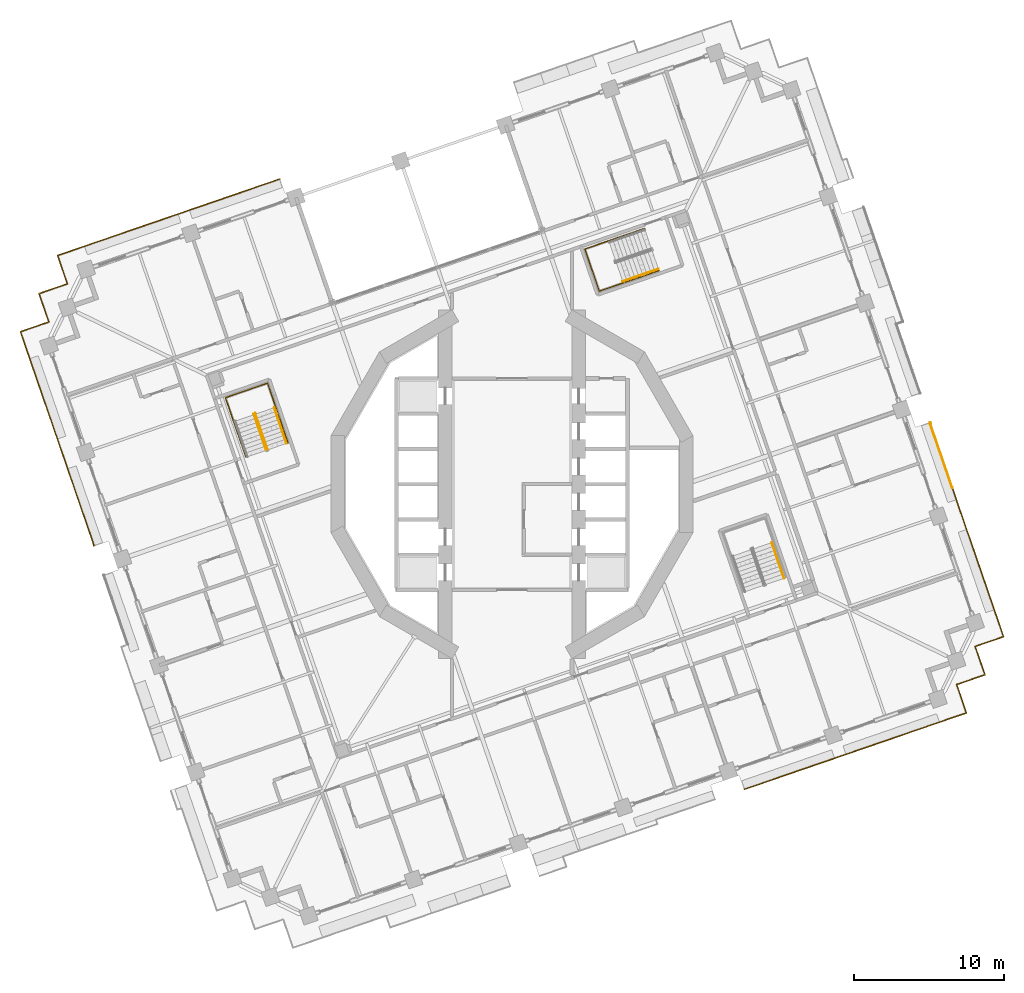
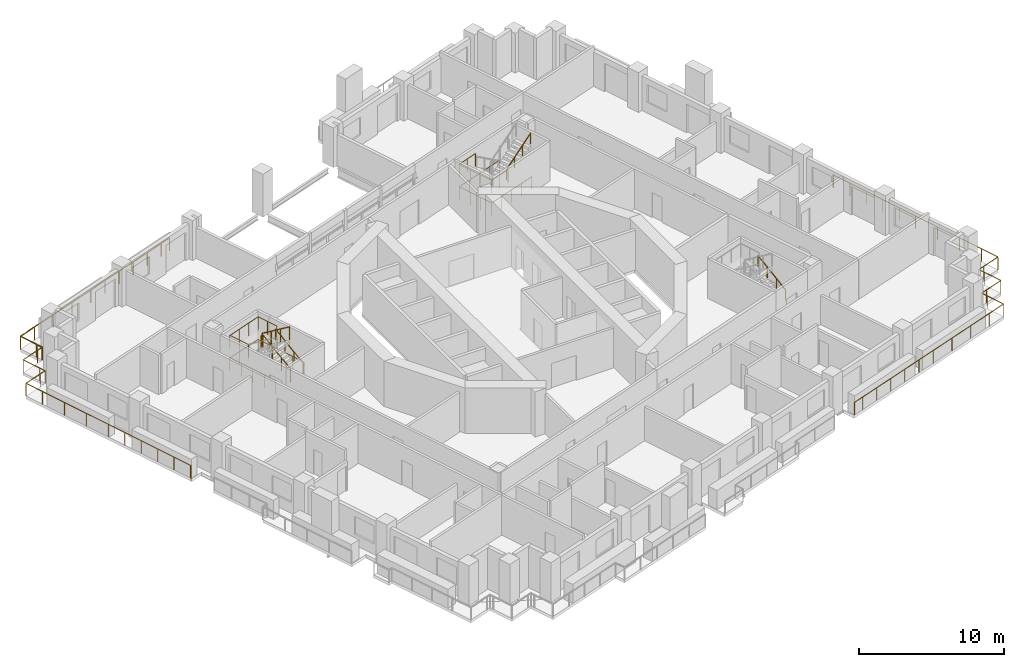
# One storey, part 18 of 22: 13 railings.
"""IFC4 building model written with IfcOpenShell, lengths in metres."""

import ifcopenshell
import ifcopenshell.guid

model = None  # the IFC model being written
_history = None  # IfcOwnerHistory: only IFC2X3 demands one
_inside = {}  # id of a spatial element -> (the spatial element, [elements in it])
_under = {}  # id of a project, library or spatial element -> (it, [spatial elements below it])
_declared = {}  # id of a project -> (the project, [libraries it declares])
_typed = {}  # id of a type object -> (the type object, [elements of that type])
_made_of = {}  # id of a material, layer set ... -> (it, [elements and type objects made of it])


def new_model(schema):
    """Start an empty IFC model of exactly this schema.

    Asked for "IFC4X3", IfcOpenShell would pick the latest addendum, in which some entities
    have other attributes; the version numbers below select the first issue.
    IFC2X3 requires an IfcOwnerHistory on every rooted entity: one is made here for all.
    """
    global model, _history
    if schema == "IFC4X3":
        model = ifcopenshell.file(schema_version=(4, 3, 0, 0))
    else:
        model = ifcopenshell.file(schema=schema)
    _inside.clear()
    _under.clear()
    _declared.clear()
    _typed.clear()
    _made_of.clear()
    _history = None
    if model.schema == "IFC2X3":
        org = make("IfcOrganization", Name="unknown")
        user = make(
            "IfcPersonAndOrganization",
            ThePerson=make("IfcPerson", FamilyName="unknown"),
            TheOrganization=org,
        )
        app = make(
            "IfcApplication",
            ApplicationDeveloper=org,
            Version="unknown",
            ApplicationFullName="unknown",
            ApplicationIdentifier="unknown",
        )
        _history = make(
            "IfcOwnerHistory",
            OwningUser=user,
            OwningApplication=app,
            ChangeAction="ADDED",
            CreationDate=0,
        )
    return model


def make(cls, **values):
    """One entity of the class cls with the attributes given. An attribute that is None is left unset."""
    return model.create_entity(
        cls, **{name: value for name, value in values.items() if value is not None}
    )


def rooted(cls, **values):
    """An entity with a GlobalId (a new one), such as an element, a storey or a relation."""
    return make(cls, GlobalId=ifcopenshell.guid.new(), OwnerHistory=_history, **values)


def si_unit(unit_type, name, prefix=None):
    """IfcSIUnit, for example si_unit("LENGTHUNIT", "METRE", prefix="MILLI")."""
    return make("IfcSIUnit", UnitType=unit_type, Prefix=prefix, Name=name)


def assignment(units):
    """IfcUnitAssignment: the units of a project."""
    return None if units is None else make("IfcUnitAssignment", Units=units)


def point(xyz):
    """IfcCartesianPoint."""
    return None if xyz is None else make("IfcCartesianPoint", Coordinates=xyz)


def direction(xyz):
    """IfcDirection."""
    return None if xyz is None else make("IfcDirection", DirectionRatios=xyz)


def frame(location, z_axis=None, x_axis=None):
    """IfcAxis2Placement3D, a coordinate frame: its origin and axes. An axis left out is left unset."""
    return make(
        "IfcAxis2Placement3D",
        Location=point(location),
        Axis=direction(z_axis),
        RefDirection=direction(x_axis),
    )


def frame_2d(location, x_axis=None):
    """IfcAxis2Placement2D, a coordinate frame in the plane: its origin and x axis."""
    return make(
        "IfcAxis2Placement2D", Location=point(location), RefDirection=direction(x_axis)
    )


def origin():
    """The frame at (0, 0, 0) with its axes left unset."""
    return frame((0.0, 0.0, 0.0))


def origin_2d():
    """The frame at (0, 0) in the plane with its x axis left unset."""
    return frame_2d((0.0, 0.0))


def place(relative_to, where):
    """IfcLocalPlacement: puts the frame where relative to a parent placement (None: the world)."""
    return make(
        "IfcLocalPlacement", PlacementRelTo=relative_to, RelativePlacement=where
    )


def context(
    kind, dimensions, precision=None, world=None, true_north=None, identifier=None
):
    """IfcGeometricRepresentationContext, for example the 3D "Model" context."""
    return make(
        "IfcGeometricRepresentationContext",
        ContextIdentifier=identifier,
        ContextType=kind,
        CoordinateSpaceDimension=dimensions,
        Precision=precision,
        WorldCoordinateSystem=world,
        TrueNorth=true_north,
    )


def subcontext(parent, identifier, kind, view, scale=None):
    """IfcGeometricRepresentationSubContext, for example "Body" below "Model"."""
    return make(
        "IfcGeometricRepresentationSubContext",
        ContextIdentifier=identifier,
        ContextType=kind,
        ParentContext=parent,
        TargetScale=scale,
        TargetView=view,
    )


def project(units=None, contexts=None):
    """IfcProject with its units and contexts."""
    return rooted(
        "IfcProject",
        Name="project",
        RepresentationContexts=contexts,
        UnitsInContext=assignment(units),
    )


def spatial(cls, under=None, at=None, **own):
    """A site, building, storey or space (cls), placed at a placement, below another one or the project."""
    s = rooted(cls, ObjectPlacement=at, **own)
    if under is not None:
        _under.setdefault(under.id(), (under, []))[1].append(s)
    return s


def profile(cls, at=None, kind="AREA", **sizes):
    """A parametric profile (cls). Its sizes go by their IFC names, for example OverallWidth=200.0."""
    return make(cls, ProfileType=kind, Position=at, **sizes)


def circle(**sizes):
    """IfcCircleProfileDef."""
    return profile("IfcCircleProfileDef", **sizes)


def extrude(swept, where, along, depth):
    """IfcExtrudedAreaSolid: the profile swept, set in the frame where, extruded along a direction by depth."""
    return make(
        "IfcExtrudedAreaSolid",
        SweptArea=swept,
        Position=where,
        ExtrudedDirection=direction(along),
        Depth=depth,
    )


def shape(context_of_items, identifier, shape_type, items):
    """IfcShapeRepresentation: the items that make up one representation, for example the "Body"."""
    return make(
        "IfcShapeRepresentation",
        ContextOfItems=context_of_items,
        RepresentationIdentifier=identifier,
        RepresentationType=shape_type,
        Items=items,
    )


def material(Name=None, Category=None):
    """IfcMaterial."""
    return make("IfcMaterial", Name=Name, Category=Category)


def made_of(thing, what):
    """Note that an element or type object is made of a material, layer set ...; save() writes the relation."""
    if what is not None:
        _made_of.setdefault(what.id(), (what, []))[1].append(thing)
    return thing


def type_object(cls, material=None, **own):
    """A type object (cls), such as IfcWallType, which elements share."""
    return made_of(rooted(cls, **own), material)


def element(
    cls,
    number,
    at=None,
    inside=None,
    cuts=None,
    type_object=None,
    material=None,
    context=None,
    identifier="Body",
    shape_type=None,
    held_by="IfcProductDefinitionShape",
    body=None,
    shapes=None,
    **own,
):
    """One element of the class cls, such as IfcWall. Its Tag is "e" and its number.

    at: its placement. inside: the storey or other place that contains it. cuts: it is an
    opening in that element (IfcRelVoidsElement). A single representation is given by context,
    identifier, shape_type and body (its items); several are given by shapes. held_by: the class
    of the entity that holds the representations. save() writes the other relations.
    """
    e = rooted(cls, Tag="e%d" % number, ObjectPlacement=at, **own)
    if body is not None:
        shapes = [shape(context, identifier, shape_type, body)]
    if shapes is not None:
        e.Representation = make(held_by, Representations=shapes)
    if inside is not None:
        _inside.setdefault(inside.id(), (inside, []))[1].append(e)
    if cuts is not None:
        rooted(
            "IfcRelVoidsElement", RelatingBuildingElement=cuts, RelatedOpeningElement=e
        )
    if type_object is not None:
        _typed.setdefault(type_object.id(), (type_object, []))[1].append(e)
    return made_of(e, material)


def aggregate(whole, parts):
    """IfcRelAggregates: a whole, such as a stair, and the parts it consists of."""
    return rooted("IfcRelAggregates", RelatingObject=whole, RelatedObjects=parts)


def save(model, path):
    """Write the relations noted so far, then the file.

    IfcRelAggregates (storeys below a building ...), IfcRelContainedInSpatialStructure (elements
    in a storey), IfcRelDefinesByType, IfcRelAssociatesMaterial and IfcRelDeclares: one each for
    every whole, place, type object, material and project.
    """
    for whole, parts in _under.values():
        aggregate(whole, parts)
    for where, things in _inside.values():
        rooted(
            "IfcRelContainedInSpatialStructure",
            RelatedElements=things,
            RelatingStructure=where,
        )
    for kind, things in _typed.values():
        rooted("IfcRelDefinesByType", RelatedObjects=things, RelatingType=kind)
    for what, things in _made_of.values():
        rooted("IfcRelAssociatesMaterial", RelatedObjects=things, RelatingMaterial=what)
    for by, libraries in _declared.values():
        rooted("IfcRelDeclares", RelatingContext=by, RelatedDefinitions=libraries)
    model.write(path)


model = new_model("IFC4")

# Units and contexts
model_context = context("Model", 3, precision=1e-05, world=origin(), true_north=direction((0.0, 1.0)))
body_context = subcontext(model_context, "Body", "Model", "MODEL_VIEW")
ifc_project = project(units=[si_unit("LENGTHUNIT", "METRE"), si_unit("AREAUNIT", "SQUARE_METRE"), si_unit("VOLUMEUNIT", "CUBIC_METRE"), si_unit("PLANEANGLEUNIT", "RADIAN"), si_unit("MASSUNIT", "GRAM", prefix="KILO")], contexts=[model_context])

# Site, building, storey
site_placement = place(None, origin())
site = spatial("IfcSite", under=ifc_project, at=site_placement, CompositionType="ELEMENT")
building_placement = place(site_placement, origin())
building = spatial("IfcBuilding", under=site, at=building_placement, Name="Cantera Rosa Tower", CompositionType="ELEMENT")
storey_placement = place(building_placement, frame((0.0, 0.0, 138.300048828125)))
storey = spatial("IfcBuildingStorey", under=building, at=storey_placement, Name="L29", CompositionType="ELEMENT", Elevation=138.300048828125)

# Railings
ifc_material_1 = material(Name="Stainless steel and laminated glass", Category="steel")
railing_type_1 = type_object("IfcRailingType", Name="GUARD 1100", PredefinedType="BALUSTRADE", material=ifc_material_1)
railing_1_placement = place(storey_placement, frame((-29.6689453125, 13.369140625, 0.0)))
element("IfcRailing", 1, at=railing_1_placement, inside=storey, type_object=railing_type_1, Name="GUARD L29-6", PredefinedType="BALUSTRADE", context=body_context, shape_type="SweptSolid", body=[
    extrude(circle(Radius=0.030029296875, at=origin_2d()), frame((0.0, 0.0, 1.070068359375), z_axis=(-0.32573481536, 0.945461173218, 0.0), x_axis=(-0.945461173218, -0.32573481536, 0.0)), (0.0, 0.0, 1.0), 0.5),
    extrude(circle(Radius=0.030029296875, at=origin_2d()), frame((-0.162841796875, 0.47265625, 1.070068359375), z_axis=(-0.325489086777, 0.945545797087, 0.0), x_axis=(-0.945545797087, -0.325489086777, 0.0)), (0.0, 0.0, 1.0), 1.500244140625),
    extrude(circle(Radius=0.030029296875, at=origin_2d()), frame((-0.651123046875, 1.89111328125, 1.070068359375), z_axis=(0.945528551438, 0.325539181077, 0.0), x_axis=(-0.325539181077, 0.945528551438, 0.0)), (0.0, 0.0, 1.0), 1.5),
    extrude(circle(Radius=0.030029296875, at=origin_2d()), frame((0.76708984375, 2.37939453125, 1.070068359375), z_axis=(0.945517123015, 0.325572373037, 0.0), x_axis=(-0.325572373037, 0.945517123015, 0.0)), (0.0, 0.0, 1.0), 5.900146484375),
    extrude(circle(Radius=0.030029296875, at=origin_2d()), frame((6.345703125, 4.30029296875, 1.070068359375), z_axis=(0.945528551438, 0.325539181077, 0.0), x_axis=(-0.325539181077, 0.945528551438, 0.0)), (0.0, 0.0, 1.0), 2.999755859375),
    extrude(circle(Radius=0.030029296875, at=origin_2d()), frame((9.18212890625, 5.27685546875, 1.070068359375), z_axis=(0.945513227049, 0.325583687361, 0.0), x_axis=(-0.325583687361, 0.945513227049, 0.0)), (0.0, 0.0, 1.0), 4.400146484375),
    extrude(circle(Radius=0.030029296875, at=origin_2d()), frame((13.342529296875, 6.70947265625, 1.070068359375), z_axis=(0.945522007901, 0.325558186158, 0.0), x_axis=(-0.325558186158, 0.945522007901, 0.0)), (0.0, 0.0, 1.0), 0.869873046875),
    extrude(circle(Radius=0.02490234375, at=origin_2d()), origin(), (0.0, 0.0, 1.0), 1.0400390625),
    extrude(circle(Radius=0.02490234375, at=origin_2d()), frame((-0.162841796875, 0.47265625, 0.0)), (0.0, 0.0, 1.0), 1.0400390625),
    extrude(circle(Radius=0.02490234375, at=origin_2d()), frame((-0.651123046875, 1.89111328125, 0.0)), (0.0, 0.0, 1.0), 1.0400390625),
    extrude(circle(Radius=0.02490234375, at=origin_2d()), frame((0.76708984375, 2.37939453125, 0.0)), (0.0, 0.0, 1.0), 1.0400390625),
    extrude(circle(Radius=0.02490234375, at=origin_2d()), frame((2.626708984375, 3.019775390625, 0.0)), (0.0, 0.0, 1.0), 1.0400390625),
    extrude(circle(Radius=0.02490234375, at=origin_2d()), frame((4.486083984375, 3.659912109375, 0.0)), (0.0, 0.0, 1.0), 1.0400390625),
    extrude(circle(Radius=0.02490234375, at=origin_2d()), frame((6.345703125, 4.30029296875, 0.0)), (0.0, 0.0, 1.0), 1.0400390625),
    extrude(circle(Radius=0.02490234375, at=origin_2d()), frame((7.763916015625, 4.78857421875, 0.0)), (0.0, 0.0, 1.0), 1.0400390625),
    extrude(circle(Radius=0.02490234375, at=origin_2d()), frame((9.18212890625, 5.27685546875, 0.0)), (0.0, 0.0, 1.0), 1.0400390625),
    extrude(circle(Radius=0.02490234375, at=origin_2d()), frame((10.56884765625, 5.75439453125, 0.0)), (0.0, 0.0, 1.0), 1.0400390625),
    extrude(circle(Radius=0.02490234375, at=origin_2d()), frame((11.955810546875, 6.23193359375, 0.0)), (0.0, 0.0, 1.0), 1.0400390625),
    extrude(circle(Radius=0.02490234375, at=origin_2d()), frame((13.342529296875, 6.70947265625, 0.0)), (0.0, 0.0, 1.0), 1.0400390625),
    extrude(circle(Radius=0.02490234375, at=origin_2d()), frame((14.1650390625, 6.99267578125, 0.0)), (0.0, 0.0, 1.0), 1.0400390625),
])
railing_2_placement = place(storey_placement, frame((-27.902099609375, -4.118408203125, 0.0)))
element("IfcRailing", 2, at=railing_2_placement, inside=storey, type_object=railing_type_1, Name="GUARD L29-7", PredefinedType="BALUSTRADE", context=body_context, shape_type="SweptSolid", body=[
    extrude(circle(Radius=0.030029296875, at=origin_2d()), frame((0.0, 0.0, 1.070068359375), z_axis=(-0.326477485611, 0.945204978504, 0.0), x_axis=(-0.945204978504, -0.326477485611, 0.0)), (0.0, 0.0, 1.0), 0.0927734375),
    extrude(circle(Radius=0.030029296875, at=origin_2d()), frame((-0.0302734375, 0.087646484375, 1.070068359375), z_axis=(0.943188038542, 0.332259422668, 0.0), x_axis=(-0.332259422668, 0.943188038542, 0.0)), (0.0, 0.0, 1.0), 0.022705078125),
    extrude(circle(Radius=0.030029296875, at=origin_2d()), frame((-0.0087890625, 0.09521484375, 1.070068359375), z_axis=(-0.325560678376, 0.945521149787, 0.0), x_axis=(-0.945521149787, -0.325560678376, 0.0)), (0.0, 0.0, 1.0), 4.497314453125),
    extrude(circle(Radius=0.030029296875, at=origin_2d()), frame((-1.472900390625, 4.347412109375, 1.070068359375), z_axis=(-0.325539181077, 0.945528551438, 0.0), x_axis=(-0.945528551438, -0.325539181077, 0.0)), (0.0, 0.0, 1.0), 2.999755859375),
    extrude(circle(Radius=0.030029296875, at=origin_2d()), frame((-2.449462890625, 7.183837890625, 1.070068359375), z_axis=(-0.325568215952, 0.945518554425, 0.0), x_axis=(-0.945518554425, -0.325568215952, 0.0)), (0.0, 0.0, 1.0), 6.02001953125),
    extrude(circle(Radius=0.030029296875, at=origin_2d()), frame((-4.409423828125, 12.8759765625, 1.070068359375), z_axis=(-0.325539181077, 0.945528551438, 0.0), x_axis=(-0.945528551438, -0.325539181077, 0.0)), (0.0, 0.0, 1.0), 1.5),
    extrude(circle(Radius=0.030029296875, at=origin_2d()), frame((-4.897705078125, 14.294189453125, 1.070068359375), z_axis=(0.945528551438, 0.325539181077, 0.0), x_axis=(-0.325539181077, 0.945528551438, 0.0)), (0.0, 0.0, 1.0), 1.5),
    extrude(circle(Radius=0.030029296875, at=origin_2d()), frame((-3.4794921875, 14.782470703125, 1.070068359375), z_axis=(0.945461173218, 0.32573481536, 0.0), x_axis=(-0.32573481536, 0.945461173218, 0.0)), (0.0, 0.0, 1.0), 0.5),
    extrude(circle(Radius=0.030029296875, at=origin_2d()), frame((-3.0068359375, 14.9453125, 1.070068359375), z_axis=(-0.325147989177, 0.945663145699, 0.0), x_axis=(-0.945663145699, -0.325147989177, 0.0)), (0.0, 0.0, 1.0), 0.5),
    extrude(circle(Radius=0.030029296875, at=origin_2d()), frame((-3.16943359375, 15.418212890625, 1.070068359375), z_axis=(-0.325684689469, 0.945478441343, 0.0), x_axis=(-0.945478441343, -0.325684689469, 0.0)), (0.0, 0.0, 1.0), 1.5),
    extrude(circle(Radius=0.030029296875, at=origin_2d()), frame((-3.657958984375, 16.83642578125, 1.070068359375), z_axis=(0.945545797087, 0.325489086777, 0.0), x_axis=(-0.325489086777, 0.945545797087, 0.0)), (0.0, 0.0, 1.0), 1.500244140625),
    extrude(circle(Radius=0.030029296875, at=origin_2d()), frame((-2.239501953125, 17.32470703125, 1.070068359375), z_axis=(0.945461173218, 0.32573481536, 0.0), x_axis=(-0.32573481536, 0.945461173218, 0.0)), (0.0, 0.0, 1.0), 0.5),
    extrude(circle(Radius=0.02490234375, at=origin_2d()), origin(), (0.0, 0.0, 1.0), 1.0400390625),
    extrude(circle(Radius=0.02490234375, at=origin_2d()), frame((-0.0302734375, 0.087646484375, 0.0)), (0.0, 0.0, 1.0), 1.0400390625),
    extrude(circle(Radius=0.02490234375, at=origin_2d()), frame((-0.0087890625, 0.09521484375, 0.0)), (0.0, 0.0, 1.0), 1.0400390625),
    extrude(circle(Radius=0.02490234375, at=origin_2d()), frame((-0.496826171875, 1.5126953125, 0.0)), (0.0, 0.0, 1.0), 1.0400390625),
    extrude(circle(Radius=0.02490234375, at=origin_2d()), frame((-0.98486328125, 2.929931640625, 0.0)), (0.0, 0.0, 1.0), 1.0400390625),
    extrude(circle(Radius=0.02490234375, at=origin_2d()), frame((-1.472900390625, 4.347412109375, 0.0)), (0.0, 0.0, 1.0), 1.0400390625),
    extrude(circle(Radius=0.02490234375, at=origin_2d()), frame((-1.961181640625, 5.765625, 0.0)), (0.0, 0.0, 1.0), 1.0400390625),
    extrude(circle(Radius=0.02490234375, at=origin_2d()), frame((-2.449462890625, 7.183837890625, 0.0)), (0.0, 0.0, 1.0), 1.0400390625),
    extrude(circle(Radius=0.02490234375, at=origin_2d()), frame((-3.102783203125, 9.081298828125, 0.0)), (0.0, 0.0, 1.0), 1.0400390625),
    extrude(circle(Radius=0.02490234375, at=origin_2d()), frame((-3.756103515625, 10.978515625, 0.0)), (0.0, 0.0, 1.0), 1.0400390625),
    extrude(circle(Radius=0.02490234375, at=origin_2d()), frame((-4.409423828125, 12.8759765625, 0.0)), (0.0, 0.0, 1.0), 1.0400390625),
    extrude(circle(Radius=0.02490234375, at=origin_2d()), frame((-4.897705078125, 14.294189453125, 0.0)), (0.0, 0.0, 1.0), 1.0400390625),
    extrude(circle(Radius=0.02490234375, at=origin_2d()), frame((-3.4794921875, 14.782470703125, 0.0)), (0.0, 0.0, 1.0), 1.0400390625),
    extrude(circle(Radius=0.02490234375, at=origin_2d()), frame((-3.0068359375, 14.9453125, 0.0)), (0.0, 0.0, 1.0), 1.0400390625),
    extrude(circle(Radius=0.02490234375, at=origin_2d()), frame((-3.16943359375, 15.418212890625, 0.0)), (0.0, 0.0, 1.0), 1.0400390625),
    extrude(circle(Radius=0.02490234375, at=origin_2d()), frame((-3.657958984375, 16.83642578125, 0.0)), (0.0, 0.0, 1.0), 1.0400390625),
    extrude(circle(Radius=0.02490234375, at=origin_2d()), frame((-2.239501953125, 17.32470703125, 0.0)), (0.0, 0.0, 1.0), 1.0400390625),
    extrude(circle(Radius=0.02490234375, at=origin_2d()), frame((-1.766845703125, 17.487548828125, 0.0)), (0.0, 0.0, 1.0), 1.0400390625),
])
railing_3_placement = place(storey_placement, frame((29.375, -0.22900390625, 0.0)))
element("IfcRailing", 3, at=railing_3_placement, inside=storey, type_object=railing_type_1, Name="GUARD L29-8", PredefinedType="BALUSTRADE", context=body_context, shape_type="SweptSolid", body=[
    extrude(circle(Radius=0.030029296875, at=origin_2d()), frame((0.0, 0.0, 1.070068359375), z_axis=(0.325539181077, -0.945528551438, 0.0), x_axis=(0.945528551438, 0.325539181077, 0.0)), (0.0, 0.0, 1.0), 2.999755859375),
    extrude(circle(Radius=0.030029296875, at=origin_2d()), frame((0.9765625, -2.83642578125, 1.070068359375), z_axis=(0.325568215952, -0.945518554425, 0.0), x_axis=(0.945518554425, 0.325568215952, 0.0)), (0.0, 0.0, 1.0), 6.02001953125),
    extrude(circle(Radius=0.030029296875, at=origin_2d()), frame((2.9365234375, -8.528564453125, 1.070068359375), z_axis=(0.325539181077, -0.945528551438, 0.0), x_axis=(0.945528551438, 0.325539181077, 0.0)), (0.0, 0.0, 1.0), 1.5),
    extrude(circle(Radius=0.030029296875, at=origin_2d()), frame((3.4248046875, -9.94677734375, 1.070068359375), z_axis=(-0.945528551438, -0.325539181077, 0.0), x_axis=(0.325539181077, -0.945528551438, 0.0)), (0.0, 0.0, 1.0), 1.5),
    extrude(circle(Radius=0.030029296875, at=origin_2d()), frame((2.006591796875, -10.43505859375, 1.070068359375), z_axis=(-0.945461173218, -0.32573481536, 0.0), x_axis=(0.32573481536, -0.945461173218, 0.0)), (0.0, 0.0, 1.0), 0.5),
    extrude(circle(Radius=0.030029296875, at=origin_2d()), frame((1.533935546875, -10.597900390625, 1.070068359375), z_axis=(0.325147989177, -0.945663145699, 0.0), x_axis=(0.945663145699, 0.325147989177, 0.0)), (0.0, 0.0, 1.0), 0.5),
    extrude(circle(Radius=0.030029296875, at=origin_2d()), frame((1.696533203125, -11.07080078125, 1.070068359375), z_axis=(0.325684689469, -0.945478441343, 0.0), x_axis=(0.945478441343, 0.325684689469, 0.0)), (0.0, 0.0, 1.0), 1.5),
    extrude(circle(Radius=0.030029296875, at=origin_2d()), frame((2.18505859375, -12.489013671875, 1.070068359375), z_axis=(-0.945545797087, -0.325489086777, 0.0), x_axis=(0.325489086777, -0.945545797087, 0.0)), (0.0, 0.0, 1.0), 1.500244140625),
    extrude(circle(Radius=0.030029296875, at=origin_2d()), frame((0.7666015625, -12.977294921875, 1.070068359375), z_axis=(-0.945461173218, -0.32573481536, 0.0), x_axis=(0.32573481536, -0.945461173218, 0.0)), (0.0, 0.0, 1.0), 0.5),
    extrude(circle(Radius=0.030029296875, at=origin_2d()), frame((0.2939453125, -13.14013671875, 1.070068359375), z_axis=(0.32573481536, -0.945461173218, 0.0), x_axis=(0.945461173218, 0.32573481536, 0.0)), (0.0, 0.0, 1.0), 0.5),
    extrude(circle(Radius=0.030029296875, at=origin_2d()), frame((0.456787109375, -13.61279296875, 1.070068359375), z_axis=(0.325489086777, -0.945545797087, 0.0), x_axis=(0.945545797087, 0.325489086777, 0.0)), (0.0, 0.0, 1.0), 1.500244140625),
    extrude(circle(Radius=0.030029296875, at=origin_2d()), frame((0.945068359375, -15.03125, 1.070068359375), z_axis=(-0.945528551438, -0.325539181077, 0.0), x_axis=(0.325539181077, -0.945528551438, 0.0)), (0.0, 0.0, 1.0), 1.5),
    extrude(circle(Radius=0.030029296875, at=origin_2d()), frame((-0.47314453125, -15.51953125, 1.070068359375), z_axis=(-0.945517123015, -0.325572373037, 0.0), x_axis=(0.325572373037, -0.945517123015, 0.0)), (0.0, 0.0, 1.0), 5.900146484375),
    extrude(circle(Radius=0.030029296875, at=origin_2d()), frame((-6.0517578125, -17.4404296875, 1.070068359375), z_axis=(-0.945528551438, -0.325539181077, 0.0), x_axis=(0.325539181077, -0.945528551438, 0.0)), (0.0, 0.0, 1.0), 2.999755859375),
    extrude(circle(Radius=0.030029296875, at=origin_2d()), frame((-8.88818359375, -18.4169921875, 1.070068359375), z_axis=(-0.945513227049, -0.325583687361, 0.0), x_axis=(0.325583687361, -0.945513227049, 0.0)), (0.0, 0.0, 1.0), 4.400146484375),
    extrude(circle(Radius=0.030029296875, at=origin_2d()), frame((-13.048583984375, -19.849609375, 1.070068359375), z_axis=(-0.945522007901, -0.325558186158, 0.0), x_axis=(0.325558186158, -0.945522007901, 0.0)), (0.0, 0.0, 1.0), 0.869873046875),
    extrude(circle(Radius=0.02490234375, at=origin_2d()), origin(), (0.0, 0.0, 1.0), 1.0400390625),
    extrude(circle(Radius=0.02490234375, at=origin_2d()), frame((0.48828125, -1.418212890625, 0.0)), (0.0, 0.0, 1.0), 1.0400390625),
    extrude(circle(Radius=0.02490234375, at=origin_2d()), frame((0.9765625, -2.83642578125, 0.0)), (0.0, 0.0, 1.0), 1.0400390625),
    extrude(circle(Radius=0.02490234375, at=origin_2d()), frame((1.6298828125, -4.73388671875, 0.0)), (0.0, 0.0, 1.0), 1.0400390625),
    extrude(circle(Radius=0.02490234375, at=origin_2d()), frame((2.283203125, -6.631103515625, 0.0)), (0.0, 0.0, 1.0), 1.0400390625),
    extrude(circle(Radius=0.02490234375, at=origin_2d()), frame((2.9365234375, -8.528564453125, 0.0)), (0.0, 0.0, 1.0), 1.0400390625),
    extrude(circle(Radius=0.02490234375, at=origin_2d()), frame((3.4248046875, -9.94677734375, 0.0)), (0.0, 0.0, 1.0), 1.0400390625),
    extrude(circle(Radius=0.02490234375, at=origin_2d()), frame((2.006591796875, -10.43505859375, 0.0)), (0.0, 0.0, 1.0), 1.0400390625),
    extrude(circle(Radius=0.02490234375, at=origin_2d()), frame((1.533935546875, -10.597900390625, 0.0)), (0.0, 0.0, 1.0), 1.0400390625),
    extrude(circle(Radius=0.02490234375, at=origin_2d()), frame((1.696533203125, -11.07080078125, 0.0)), (0.0, 0.0, 1.0), 1.0400390625),
    extrude(circle(Radius=0.02490234375, at=origin_2d()), frame((2.18505859375, -12.489013671875, 0.0)), (0.0, 0.0, 1.0), 1.0400390625),
    extrude(circle(Radius=0.02490234375, at=origin_2d()), frame((0.7666015625, -12.977294921875, 0.0)), (0.0, 0.0, 1.0), 1.0400390625),
    extrude(circle(Radius=0.02490234375, at=origin_2d()), frame((0.2939453125, -13.14013671875, 0.0)), (0.0, 0.0, 1.0), 1.0400390625),
    extrude(circle(Radius=0.02490234375, at=origin_2d()), frame((0.456787109375, -13.61279296875, 0.0)), (0.0, 0.0, 1.0), 1.0400390625),
    extrude(circle(Radius=0.02490234375, at=origin_2d()), frame((0.945068359375, -15.03125, 0.0)), (0.0, 0.0, 1.0), 1.0400390625),
    extrude(circle(Radius=0.02490234375, at=origin_2d()), frame((-0.47314453125, -15.51953125, 0.0)), (0.0, 0.0, 1.0), 1.0400390625),
    extrude(circle(Radius=0.02490234375, at=origin_2d()), frame((-2.332763671875, -16.159912109375, 0.0)), (0.0, 0.0, 1.0), 1.0400390625),
    extrude(circle(Radius=0.02490234375, at=origin_2d()), frame((-4.192138671875, -16.800048828125, 0.0)), (0.0, 0.0, 1.0), 1.0400390625),
    extrude(circle(Radius=0.02490234375, at=origin_2d()), frame((-6.0517578125, -17.4404296875, 0.0)), (0.0, 0.0, 1.0), 1.0400390625),
    extrude(circle(Radius=0.02490234375, at=origin_2d()), frame((-7.469970703125, -17.9287109375, 0.0)), (0.0, 0.0, 1.0), 1.0400390625),
    extrude(circle(Radius=0.02490234375, at=origin_2d()), frame((-8.88818359375, -18.4169921875, 0.0)), (0.0, 0.0, 1.0), 1.0400390625),
    extrude(circle(Radius=0.02490234375, at=origin_2d()), frame((-10.27490234375, -18.89453125, 0.0)), (0.0, 0.0, 1.0), 1.0400390625),
    extrude(circle(Radius=0.02490234375, at=origin_2d()), frame((-11.661865234375, -19.3720703125, 0.0)), (0.0, 0.0, 1.0), 1.0400390625),
    extrude(circle(Radius=0.02490234375, at=origin_2d()), frame((-13.048583984375, -19.849609375, 0.0)), (0.0, 0.0, 1.0), 1.0400390625),
    extrude(circle(Radius=0.02490234375, at=origin_2d()), frame((-13.87109375, -20.1328125, 0.0)), (0.0, 0.0, 1.0), 1.0400390625),
])
railing_4_placement = place(storey_placement, frame((27.902099609375, 4.118408203125, 0.0)))
element("IfcRailing", 4, at=railing_4_placement, inside=storey, type_object=railing_type_1, Name="GUARD L29-9", PredefinedType="BALUSTRADE", context=body_context, shape_type="SweptSolid", body=[
    extrude(circle(Radius=0.030029296875, at=origin_2d()), frame((0.0, 0.0, 1.070068359375), z_axis=(0.326477485611, -0.945204978504, 0.0), x_axis=(0.945204978504, 0.326477485611, 0.0)), (0.0, 0.0, 1.0), 0.0927734375),
    extrude(circle(Radius=0.030029296875, at=origin_2d()), frame((0.0302734375, -0.087646484375, 1.070068359375), z_axis=(-0.943188038542, -0.332259422668, 0.0), x_axis=(0.332259422668, -0.943188038542, 0.0)), (0.0, 0.0, 1.0), 0.022705078125),
    extrude(circle(Radius=0.030029296875, at=origin_2d()), frame((0.0087890625, -0.09521484375, 1.070068359375), z_axis=(0.325560678376, -0.945521149787, 0.0), x_axis=(0.945521149787, 0.325560678376, 0.0)), (0.0, 0.0, 1.0), 4.497314453125),
    extrude(circle(Radius=0.02490234375, at=origin_2d()), origin(), (0.0, 0.0, 1.0), 1.0400390625),
    extrude(circle(Radius=0.02490234375, at=origin_2d()), frame((0.0302734375, -0.087646484375, 0.0)), (0.0, 0.0, 1.0), 1.0400390625),
    extrude(circle(Radius=0.02490234375, at=origin_2d()), frame((0.0087890625, -0.09521484375, 0.0)), (0.0, 0.0, 1.0), 1.0400390625),
    extrude(circle(Radius=0.02490234375, at=origin_2d()), frame((0.496826171875, -1.5126953125, 0.0)), (0.0, 0.0, 1.0), 1.0400390625),
    extrude(circle(Radius=0.02490234375, at=origin_2d()), frame((0.98486328125, -2.929931640625, 0.0)), (0.0, 0.0, 1.0), 1.0400390625),
    extrude(circle(Radius=0.02490234375, at=origin_2d()), frame((1.472900390625, -4.347412109375, 0.0)), (0.0, 0.0, 1.0), 1.0400390625),
])
ifc_material_2 = material(Name="Steel S355J2 (EN 10025-2)", Category="steel")
railing_type_2 = type_object("IfcRailingType", Name="STAIR GUARD 1100", PredefinedType="GUARDRAIL", material=ifc_material_2)
railing_5_placement = place(storey_placement, frame((8.828857421875, 17.055908203125, 0.0)))
element("IfcRailing", 5, at=railing_5_placement, inside=storey, type_object=railing_type_2, Name="L29 ST-21 stair guard 4", PredefinedType="GUARDRAIL", context=body_context, shape_type="SweptSolid", body=[
    extrude(circle(Radius=0.02392578125, at=origin_2d()), frame((0.0, 0.0, 1.076171875), z_axis=(-0.945519978022, -0.325564081496, 0.0), x_axis=(0.325564081496, -0.945519978022, 0.0)), (0.0, 0.0, 1.0), 4.197998046875),
    extrude(circle(Radius=0.02392578125, at=origin_2d()), frame((-3.96923828125, -1.36669921875, 1.076171875), z_axis=(0.325608117645, -0.945504814226, 0.0), x_axis=(0.945504814226, 0.325608117645, 0.0)), (0.0, 0.0, 1.0), 2.969970703125),
    extrude(circle(Radius=0.02392578125, at=origin_2d()), frame((-3.002197265625, -4.1748046875, 1.076171875), z_axis=(0.945519978022, 0.325564081496, 0.0), x_axis=(-0.325564081496, 0.945519978022, 0.0)), (0.0, 0.0, 1.0), 4.197998046875),
    extrude(circle(Radius=0.02099609375, at=origin_2d()), origin(), (0.0, 0.0, 1.0), 1.052001953125),
    extrude(circle(Radius=0.02099609375, at=origin_2d()), frame((-0.9921875, -0.341796875, 0.0)), (0.0, 0.0, 1.0), 1.052001953125),
    extrude(circle(Radius=0.02099609375, at=origin_2d()), frame((-1.984619140625, -0.683349609375, 0.0)), (0.0, 0.0, 1.0), 1.052001953125),
    extrude(circle(Radius=0.02099609375, at=origin_2d()), frame((-2.97705078125, -1.02490234375, 0.0)), (0.0, 0.0, 1.0), 1.052001953125),
    extrude(circle(Radius=0.02099609375, at=origin_2d()), frame((-3.96923828125, -1.36669921875, 0.0)), (0.0, 0.0, 1.0), 1.052001953125),
    extrude(circle(Radius=0.02099609375, at=origin_2d()), frame((-3.64697265625, -2.302734375, 0.0)), (0.0, 0.0, 1.0), 1.052001953125),
    extrude(circle(Radius=0.02099609375, at=origin_2d()), frame((-3.324462890625, -3.23876953125, 0.0)), (0.0, 0.0, 1.0), 1.052001953125),
    extrude(circle(Radius=0.02099609375, at=origin_2d()), frame((-3.002197265625, -4.1748046875, 0.0)), (0.0, 0.0, 1.0), 1.052001953125),
    extrude(circle(Radius=0.02099609375, at=origin_2d()), frame((-2.009765625, -3.8330078125, 0.0)), (0.0, 0.0, 1.0), 1.052001953125),
    extrude(circle(Radius=0.02099609375, at=origin_2d()), frame((-1.017578125, -3.491455078125, 0.0)), (0.0, 0.0, 1.0), 1.052001953125),
    extrude(circle(Radius=0.02099609375, at=origin_2d()), frame((-0.025390625, -3.14990234375, 0.0)), (0.0, 0.0, 1.0), 1.052001953125),
    extrude(circle(Radius=0.02099609375, at=origin_2d()), frame((0.967041015625, -2.80810546875, 0.0)), (0.0, 0.0, 1.0), 1.052001953125),
])
railing_6_placement = place(storey_placement, frame((6.468994140625, 16.243408203125, 1.89990234375)))
element("IfcRailing", 6, at=railing_6_placement, inside=storey, type_object=railing_type_2, Name="L29 ST-21 stair guard 5", PredefinedType="GUARDRAIL", context=body_context, shape_type="SweptSolid", body=[
    extrude(circle(Radius=0.02392578125, at=origin_2d()), frame((0.0, 0.0, 1.076171875), z_axis=(-0.94551008141, -0.32559282233, 0.0), x_axis=(0.32559282233, -0.94551008141, 0.0)), (0.0, 0.0, 1.0), 1.7021484375),
    extrude(circle(Radius=0.02392578125, at=origin_2d()), frame((-1.609375, -0.55419921875, 1.076171875), z_axis=(0.325608117645, -0.945504814226, 0.0), x_axis=(0.945504814226, 0.325608117645, 0.0)), (0.0, 0.0, 1.0), 2.969970703125),
    extrude(circle(Radius=0.02392578125, at=origin_2d()), frame((-0.642333984375, -3.3623046875, 1.076171875), z_axis=(0.945539033546, 0.325508734201, 0.0), x_axis=(-0.325508734201, 0.945539033546, 0.0)), (0.0, 0.0, 1.0), 1.701904296875),
    extrude(circle(Radius=0.02099609375, at=origin_2d()), origin(), (0.0, 0.0, 1.0), 1.052001953125),
    extrude(circle(Radius=0.02099609375, at=origin_2d()), frame((-0.8046875, -0.277099609375, 0.0)), (0.0, 0.0, 1.0), 1.052001953125),
    extrude(circle(Radius=0.02099609375, at=origin_2d()), frame((-1.609375, -0.55419921875, 0.0)), (0.0, 0.0, 1.0), 1.052001953125),
    extrude(circle(Radius=0.02099609375, at=origin_2d()), frame((-1.287109375, -1.490234375, 0.0)), (0.0, 0.0, 1.0), 1.052001953125),
    extrude(circle(Radius=0.02099609375, at=origin_2d()), frame((-0.964599609375, -2.42626953125, 0.0)), (0.0, 0.0, 1.0), 1.052001953125),
    extrude(circle(Radius=0.02099609375, at=origin_2d()), frame((-0.642333984375, -3.3623046875, 0.0)), (0.0, 0.0, 1.0), 1.052001953125),
    extrude(circle(Radius=0.02099609375, at=origin_2d()), frame((0.162109375, -3.08544921875, 0.0)), (0.0, 0.0, 1.0), 1.052001953125),
    extrude(circle(Radius=0.02099609375, at=origin_2d()), frame((0.966796875, -2.808349609375, 0.0)), (0.0, 0.0, 1.0), 1.052001953125),
])
railing_7_placement = place(storey_placement, frame((-16.2978515625, 2.292236328125, 0.18994140625)))
element("IfcRailing", 7, at=railing_7_placement, inside=storey, type_object=railing_type_2, Name="L29 ST-22 stair guard 1", PredefinedType="GUARDRAIL", context=body_context, shape_type="SweptSolid", body=[
    extrude(circle(Radius=0.02392578125, at=origin_2d()), frame((0.0, 0.0, 1.076171875), z_axis=(-0.269432418223, 0.782404165978, 0.561471186323), x_axis=(-0.94550776501, -0.325599548996, 0.0)), (0.0, 0.0, 1.0), 3.04541015625),
    extrude(circle(Radius=0.02392578125, at=origin_2d()), frame((-0.820556640625, 2.3828125, 2.7861328125), z_axis=(0.147491890402, 0.989063265047, 0.0), x_axis=(-0.989063265047, 0.147491890402, 0.0)), (0.0, 0.0, 1.0), 0.056396484375),
    extrude(circle(Radius=0.02392578125, at=origin_2d()), frame((-0.812255859375, 2.4384765625, 2.7861328125), z_axis=(-0.945372981626, -0.325990683319, 0.0), x_axis=(0.325990683319, -0.945372981626, 0.0)), (0.0, 0.0, 1.0), 0.14990234375),
    extrude(circle(Radius=0.02099609375, at=origin_2d()), origin(), (0.0, 0.0, 1.0), 1.052001953125),
    extrude(circle(Radius=0.02099609375, at=origin_2d()), frame((-0.2734375, 0.794189453125, 0.570068359375)), (0.0, 0.0, 1.0), 1.052001953125),
    extrude(circle(Radius=0.02099609375, at=origin_2d()), frame((-0.547119140625, 1.588623046875, 1.139892578125)), (0.0, 0.0, 1.0), 1.052001953125),
    extrude(circle(Radius=0.02099609375, at=origin_2d()), frame((-0.820556640625, 2.3828125, 1.7099609375)), (0.0, 0.0, 1.0), 1.052001953125),
    extrude(circle(Radius=0.02099609375, at=origin_2d()), frame((-0.812255859375, 2.4384765625, 1.7099609375)), (0.0, 0.0, 1.0), 1.052001953125),
    extrude(circle(Radius=0.02099609375, at=origin_2d()), frame((-0.953857421875, 2.3896484375, 1.7099609375)), (0.0, 0.0, 1.0), 1.052001953125),
])
railing_8_placement = place(storey_placement, frame((-17.2109375, 4.64306640625, 2.08984375)))
element("IfcRailing", 8, at=railing_8_placement, inside=storey, type_object=railing_type_2, Name="L29 ST-22 stair guard 2", PredefinedType="GUARDRAIL", context=body_context, shape_type="SweptSolid", body=[
    extrude(circle(Radius=0.02392578125, at=origin_2d()), frame((0.0, 0.0, 1.076171875), z_axis=(0.269345946519, -0.782385844651, 0.561538201002), x_axis=(0.945537585866, 0.325512939397, 0.0)), (0.0, 0.0, 1.0), 3.045654296875),
    extrude(circle(Radius=0.02099609375, at=origin_2d()), origin(), (0.0, 0.0, 1.0), 1.052001953125),
    extrude(circle(Radius=0.02099609375, at=origin_2d()), frame((0.2734375, -0.794189453125, 0.570068359375)), (0.0, 0.0, 1.0), 1.052001953125),
    extrude(circle(Radius=0.02099609375, at=origin_2d()), frame((0.546875, -1.588623046875, 1.14013671875)), (0.0, 0.0, 1.0), 1.052001953125),
    extrude(circle(Radius=0.02099609375, at=origin_2d()), frame((0.8203125, -2.3828125, 1.710205078125)), (0.0, 0.0, 1.0), 1.052001953125),
])
railing_9_placement = place(storey_placement, frame((-14.944091796875, 2.77099609375, 0.0)))
element("IfcRailing", 9, at=railing_9_placement, inside=storey, type_object=railing_type_2, Name="L29 ST-22 stair guard 4", PredefinedType="GUARDRAIL", context=body_context, shape_type="SweptSolid", body=[
    extrude(circle(Radius=0.02392578125, at=origin_2d()), frame((0.0, 0.0, 1.076171875), z_axis=(-0.325546180042, 0.945526141712, 0.0), x_axis=(-0.945526141712, -0.325546180042, 0.0)), (0.0, 0.0, 1.0), 4.1982421875),
    extrude(circle(Radius=0.02392578125, at=origin_2d()), frame((-1.36669921875, 3.969482421875, 1.076171875), z_axis=(-0.945504814226, -0.325608117645, 0.0), x_axis=(0.325608117645, -0.945504814226, 0.0)), (0.0, 0.0, 1.0), 2.969970703125),
    extrude(circle(Radius=0.02392578125, at=origin_2d()), frame((-4.1748046875, 3.00244140625, 1.076171875), z_axis=(0.325564081496, -0.945519978022, 0.0), x_axis=(0.945519978022, 0.325564081496, 0.0)), (0.0, 0.0, 1.0), 4.197998046875),
    extrude(circle(Radius=0.02099609375, at=origin_2d()), origin(), (0.0, 0.0, 1.0), 1.052001953125),
    extrude(circle(Radius=0.02099609375, at=origin_2d()), frame((-0.341796875, 0.992431640625, 0.0)), (0.0, 0.0, 1.0), 1.052001953125),
    extrude(circle(Radius=0.02099609375, at=origin_2d()), frame((-0.683349609375, 1.98486328125, 0.0)), (0.0, 0.0, 1.0), 1.052001953125),
    extrude(circle(Radius=0.02099609375, at=origin_2d()), frame((-1.02490234375, 2.97705078125, 0.0)), (0.0, 0.0, 1.0), 1.052001953125),
    extrude(circle(Radius=0.02099609375, at=origin_2d()), frame((-1.36669921875, 3.969482421875, 0.0)), (0.0, 0.0, 1.0), 1.052001953125),
    extrude(circle(Radius=0.02099609375, at=origin_2d()), frame((-2.302734375, 3.647216796875, 0.0)), (0.0, 0.0, 1.0), 1.052001953125),
    extrude(circle(Radius=0.02099609375, at=origin_2d()), frame((-3.23876953125, 3.32470703125, 0.0)), (0.0, 0.0, 1.0), 1.052001953125),
    extrude(circle(Radius=0.02099609375, at=origin_2d()), frame((-4.1748046875, 3.00244140625, 0.0)), (0.0, 0.0, 1.0), 1.052001953125),
    extrude(circle(Radius=0.02099609375, at=origin_2d()), frame((-3.8330078125, 2.01025390625, 0.0)), (0.0, 0.0, 1.0), 1.052001953125),
    extrude(circle(Radius=0.02099609375, at=origin_2d()), frame((-3.491455078125, 1.017822265625, 0.0)), (0.0, 0.0, 1.0), 1.052001953125),
    extrude(circle(Radius=0.02099609375, at=origin_2d()), frame((-3.14990234375, 0.025390625, 0.0)), (0.0, 0.0, 1.0), 1.052001953125),
    extrude(circle(Radius=0.02099609375, at=origin_2d()), frame((-2.80810546875, -0.966796875, 0.0)), (0.0, 0.0, 1.0), 1.052001953125),
])
railing_10_placement = place(storey_placement, frame((-15.756591796875, 5.131103515625, 1.89990234375)))
element("IfcRailing", 10, at=railing_10_placement, inside=storey, type_object=railing_type_2, Name="L29 ST-22 stair guard 5", PredefinedType="GUARDRAIL", context=body_context, shape_type="SweptSolid", body=[
    extrude(circle(Radius=0.02392578125, at=origin_2d()), frame((0.0, 0.0, 1.076171875), z_axis=(-0.32559282233, 0.94551008141, 0.0), x_axis=(-0.94551008141, -0.32559282233, 0.0)), (0.0, 0.0, 1.0), 1.7021484375),
    extrude(circle(Radius=0.02392578125, at=origin_2d()), frame((-0.55419921875, 1.609375, 1.076171875), z_axis=(-0.945504814226, -0.325608117645, 0.0), x_axis=(0.325608117645, -0.945504814226, 0.0)), (0.0, 0.0, 1.0), 2.969970703125),
    extrude(circle(Radius=0.02392578125, at=origin_2d()), frame((-3.3623046875, 0.642333984375, 1.076171875), z_axis=(0.325464585813, -0.945554230799, 0.0), x_axis=(0.945554230799, 0.325464585813, 0.0)), (0.0, 0.0, 1.0), 1.7021484375),
    extrude(circle(Radius=0.02099609375, at=origin_2d()), origin(), (0.0, 0.0, 1.0), 1.052001953125),
    extrude(circle(Radius=0.02099609375, at=origin_2d()), frame((-0.277099609375, 0.8046875, 0.0)), (0.0, 0.0, 1.0), 1.052001953125),
    extrude(circle(Radius=0.02099609375, at=origin_2d()), frame((-0.55419921875, 1.609375, 0.0)), (0.0, 0.0, 1.0), 1.052001953125),
    extrude(circle(Radius=0.02099609375, at=origin_2d()), frame((-1.490234375, 1.287109375, 0.0)), (0.0, 0.0, 1.0), 1.052001953125),
    extrude(circle(Radius=0.02099609375, at=origin_2d()), frame((-2.42626953125, 0.964599609375, 0.0)), (0.0, 0.0, 1.0), 1.052001953125),
    extrude(circle(Radius=0.02099609375, at=origin_2d()), frame((-3.3623046875, 0.642333984375, 0.0)), (0.0, 0.0, 1.0), 1.052001953125),
    extrude(circle(Radius=0.02099609375, at=origin_2d()), frame((-3.08544921875, -0.162353515625, 0.0)), (0.0, 0.0, 1.0), 1.052001953125),
    extrude(circle(Radius=0.02099609375, at=origin_2d()), frame((-2.808349609375, -0.967041015625, 0.0)), (0.0, 0.0, 1.0), 1.052001953125),
])
ifc_material_3 = material(Name="Steel S355J2 (EN 10025-2)", Category="steel")
railing_type_3 = type_object("IfcRailingType", Name="STAIR HANDRAIL 900", PredefinedType="HANDRAIL", material=ifc_material_3)
railing_11_placement = place(storey_placement, frame((7.388671875, 13.53515625, 2.08984375)))
element("IfcRailing", 11, at=railing_11_placement, inside=storey, type_object=railing_type_3, Name="L29 ST-21 stair handrail 2", PredefinedType="HANDRAIL", context=body_context, shape_type="SweptSolid", body=[
    extrude(circle(Radius=0.02392578125, at=origin_2d()), frame((0.0, 0.0, 0.8759765625), z_axis=(0.782368949847, 0.269420291028, 0.561526075172), x_axis=(-0.325599548996, 0.94550776501, 0.0)), (0.0, 0.0, 1.0), 3.045654296875),
    extrude(circle(Radius=0.02099609375, at=origin_2d()), origin(), (0.0, 0.0, 1.0), 0.851806640625),
    extrude(circle(Radius=0.02099609375, at=origin_2d()), frame((0.794189453125, 0.2734375, 0.570068359375)), (0.0, 0.0, 1.0), 0.851806640625),
    extrude(circle(Radius=0.02099609375, at=origin_2d()), frame((1.588623046875, 0.547119140625, 1.14013671875)), (0.0, 0.0, 1.0), 0.851806640625),
    extrude(circle(Radius=0.02099609375, at=origin_2d()), frame((2.3828125, 0.820556640625, 1.710205078125)), (0.0, 0.0, 1.0), 0.851806640625),
])
for number, where, name in (
    (12, (-15.044189453125, 2.723876953125, 0.18994140625), "L29 ST-22 stair handrail 1"),
    (13, (18.15576171875, -6.276123046875, 0.18994140625), "L29 ST-23 stair handrail 1"),
):
    element("IfcRailing", number, at=place(storey_placement, frame(where)), inside=storey, type_object=railing_type_3, Name=name, PredefinedType="HANDRAIL", context=body_context, shape_type="SweptSolid", body=[
        extrude(circle(Radius=0.02392578125, at=origin_2d()), frame((0.0, 0.0, 0.8759765625), z_axis=(-0.269358070891, 0.782421063063, 0.561483312059), x_axis=(-0.945537585866, -0.325512939397, 0.0)), (0.0, 0.0, 1.0), 3.04541015625),
        extrude(circle(Radius=0.02099609375, at=origin_2d()), origin(), (0.0, 0.0, 1.0), 0.851806640625),
        extrude(circle(Radius=0.02099609375, at=origin_2d()), frame((-0.2734375, 0.794189453125, 0.570068359375)), (0.0, 0.0, 1.0), 0.851806640625),
        extrude(circle(Radius=0.02099609375, at=origin_2d()), frame((-0.546875, 1.588623046875, 1.139892578125)), (0.0, 0.0, 1.0), 0.851806640625),
        extrude(circle(Radius=0.02099609375, at=origin_2d()), frame((-0.8203125, 2.3828125, 1.7099609375)), (0.0, 0.0, 1.0), 0.851806640625),
    ])

save(model, "model.ifc")
